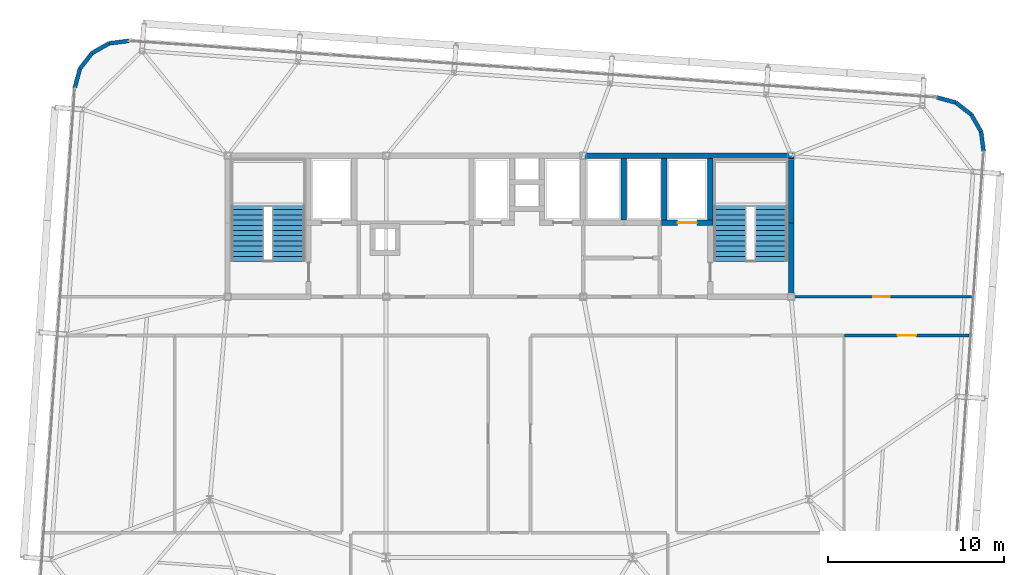
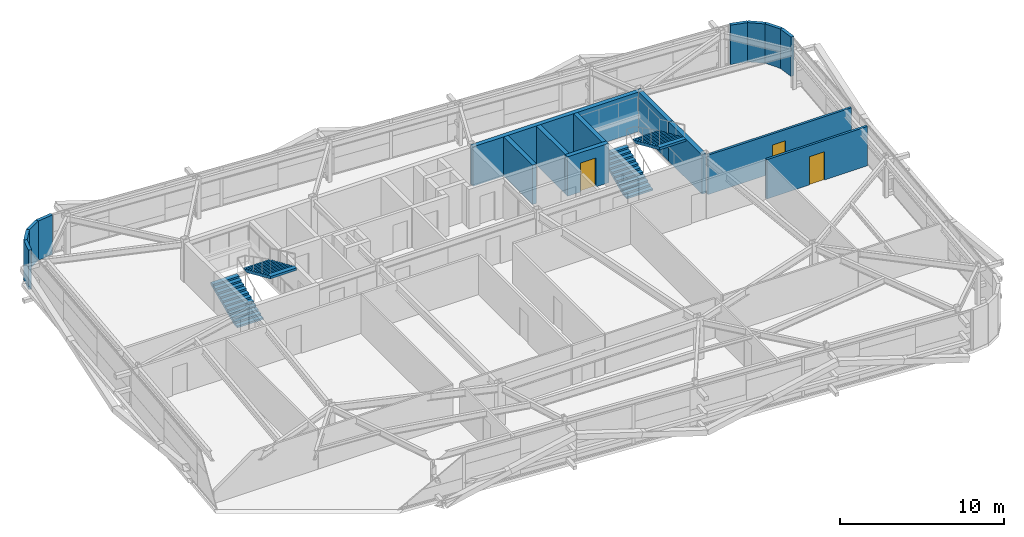
# One storey, part 37 of 39: 17 walls, 4 stair flights, 3 doors, 3 openings, 2 elements without a shape of their own.
"""IFC4 building model written with IfcOpenShell, lengths in metres."""

from ifc_helpers import new_model, si_unit, direction, frame, frame_2d, origin, place, context, subcontext, project, spatial, polyline, rectangle, outline, extrude, source, transform, mapped, material, layer, layer_set, type_object, element, fill, aggregate, save


model = new_model("IFC4")

# Units and contexts
model_context = context("Model", 3, precision=1e-05, world=origin(), true_north=direction((0.0, 1.0)))
body_context = subcontext(model_context, "Body", "Model", "MODEL_VIEW")
ifc_project = project(units=[si_unit("LENGTHUNIT", "METRE"), si_unit("AREAUNIT", "SQUARE_METRE"), si_unit("VOLUMEUNIT", "CUBIC_METRE"), si_unit("PLANEANGLEUNIT", "RADIAN"), si_unit("MASSUNIT", "GRAM", prefix="KILO")], contexts=[model_context])

# Site, building, storey
site_placement = place(None, origin())
site = spatial("IfcSite", under=ifc_project, at=site_placement, CompositionType="ELEMENT")
building_placement = place(site_placement, origin())
building = spatial("IfcBuilding", under=site, at=building_placement, Name="Taldren Reach Tower", CompositionType="ELEMENT")
storey_placement = place(building_placement, frame((0.0, 0.0, 129.85009765625)))
storey = spatial("IfcBuildingStorey", under=building, at=storey_placement, Name="L39", CompositionType="ELEMENT", Elevation=129.85009765625)

# Walls
ifc_material_1 = material(Name="Pale Champagne Anodised Aluminium Cladding", Category="aluminium")
ifc_layer_1 = layer(ifc_material_1, 0.04, Name="Pale Champagne Anodised Aluminium Cladding", Category="aluminium")
ifc_material_2 = material(Name="Mineral Wool Acoustic Insulation", Category="insulation")
ifc_layer_2 = layer(ifc_material_2, 0.06, Name="Mineral Wool Acoustic Insulation", Category="insulation")
ifc_material_3 = material(Name="Steel Gr 350 (C350L0)", Category="steel")
ifc_layer_3 = layer(ifc_material_3, 0.12, Name="Steel Gr 350 (C350L0)", Category="steel")
ifc_layer_set_1 = layer_set([ifc_layer_1, ifc_layer_2, ifc_layer_3], Name="Pale Champagne Aluminium Cladding and Steel Gr 350 Stud Framing")
wall_type_1 = type_object("IfcWallType", Name="EW-CRN-220", PredefinedType="SOLIDWALL", material=ifc_layer_set_1)
shared_shape_1 = source(origin(), body_context, "Body", "SweptSolid", [
    extrude(rectangle(XDim=1.115966796875, YDim=0.219970703125, at=frame_2d((0.55810546875, 0.0))), origin(), (0.0, 0.0, 1.0), 2.929931640625),
])
for number, where, z_axis, x_axis, name in (
    (1, (61.923583984375, 32.261962890625, 0.0), (0.0, 0.0, 1.0), (-0.126242535829, 0.991999406324, 0.0), "Rounded-corner pale-metal facade wall L39-NE1"),
    (2, (61.78271484375, 33.368896484375, 0.0), (0.0, 0.0, 1.0), (-0.496138938357, 0.868243142124, 0.0), "Rounded-corner pale-metal facade wall L39-NE2"),
    (3, (61.22900390625, 34.337890625, 0.0), (0.0, 0.0, 1.0), (-0.790716874741, 0.612182018684, 0.0), "Rounded-corner pale-metal facade wall L39-NE3"),
    (4, (60.3466796875, 35.02099609375, 0.0), (0.0, 0.0, 1.0), (-0.964804199372, 0.262969307856, 0.0), "Rounded-corner pale-metal facade wall L39-NE4"),
    (5, (13.382080078125, 38.5234375, 0.0), (0.0, 0.0, 1.0), (-0.991999406324, -0.126242535829, 0.0), "Rounded-corner pale-metal facade wall L39-NW1"),
    (6, (11.306396484375, 37.828857421875, 0.0), (0.0, 0.0, 1.0), (-0.612318787668, -0.790610967714, 0.0), "Rounded-corner pale-metal facade wall L39-NW3"),
    (7, (10.623046875, 36.946533203125, 0.0), (0.0, 0.0, 1.0), (-0.262969307856, -0.964804199372, 0.0), "Rounded-corner pale-metal facade wall L39-NW4"),
):
    element("IfcWall", number, at=place(storey_placement, frame(where, z_axis=z_axis, x_axis=x_axis)), inside=storey, type_object=wall_type_1, Name=name, PredefinedType="SOLIDWALL", context=body_context, shape_type="MappedRepresentation", body=[
        mapped(shared_shape_1, transform((0.0, 0.0, 0.0), scale=1.0)),
    ])
shared_shape_2 = source(origin(), body_context, "Body", "SweptSolid", [
    extrude(rectangle(XDim=1.11572265625, YDim=0.219970703125, at=frame_2d((0.557861328125, 0.0))), origin(), (0.0, 0.0, 1.0), 2.929931640625),
])
wall_1_placement = place(storey_placement, frame((12.275146484375, 38.382568359375, 0.0), z_axis=(0.0, 0.0, 1.0), x_axis=(-0.868189279113, -0.496233186751, 0.0)))
element("IfcWall", 8, at=wall_1_placement, inside=storey, type_object=wall_type_1, Name="Rounded-corner pale-metal facade wall L39-NW2", PredefinedType="SOLIDWALL", context=body_context, shape_type="MappedRepresentation", body=[
    mapped(shared_shape_2, transform((0.0, 0.0, 0.0), scale=1.0)),
])
ifc_material_4 = material(Name="Concrete S65 (65 MPa)", Category="concrete")
ifc_layer_4 = layer(ifc_material_4, 0.300048828125)
ifc_layer_set_2 = layer_set([ifc_layer_4], Name="Concrete S65 (65 MPa)")
wall_type_2 = type_object("IfcWallType", Name="IW-CORE-300", PredefinedType="SHEAR", material=ifc_layer_set_2)
shared_shape_3 = source(origin(), body_context, "Body", "SweptSolid", [
    extrude(rectangle(XDim=11.949951171875, YDim=0.300048828125, at=frame_2d((5.97509765625, 0.0))), origin(), (0.0, 0.0, 1.0), 2.929931640625),
])
wall_2_placement = place(storey_placement, frame((39.199951171875, 32.0, 0.0), z_axis=(0.0, 0.0, 1.0), x_axis=(1.0, 0.0, 0.0)))
element("IfcWall", 9, at=wall_2_placement, inside=storey, type_object=wall_type_2, Name="Rear Core Shear Wall W-CORE-L39-NORTH3", PredefinedType="SHEAR", context=body_context, shape_type="MappedRepresentation", body=[
    mapped(shared_shape_3, transform((0.0, 0.0, 0.0), scale=1.0)),
])
shared_shape_4 = source(origin(), body_context, "Body", "SweptSolid", [
    extrude(rectangle(XDim=4.050048828125, YDim=0.300048828125, at=frame_2d((2.02490234375, 0.0))), origin(), (0.0, 0.0, 1.0), 2.929931640625),
])
wall_3_placement = place(storey_placement, frame((51.0, 24.14990234375, 0.0), z_axis=(0.0, 0.0, 1.0), x_axis=(0.0, 1.0, 0.0)))
element("IfcWall", 10, at=wall_3_placement, inside=storey, type_object=wall_type_2, Name="Rear Core Shear Wall W-CORE-L39-EAST1", PredefinedType="SHEAR", context=body_context, shape_type="MappedRepresentation", body=[
    mapped(shared_shape_4, transform((0.0, 0.0, 0.0), scale=1.0)),
])
shared_shape_5 = source(origin(), body_context, "Body", "SweptSolid", [
    extrude(rectangle(XDim=3.650146484375, YDim=0.300048828125, at=frame_2d((1.8251953125, 0.0))), origin(), (0.0, 0.0, 1.0), 2.929931640625),
])
wall_4_placement = place(storey_placement, frame((51.0, 28.199951171875, 0.0), z_axis=(0.0, 0.0, 1.0), x_axis=(0.0, 1.0, 0.0)))
element("IfcWall", 11, at=wall_4_placement, inside=storey, type_object=wall_type_2, Name="Rear Core Shear Wall W-CORE-L39-EAST2", PredefinedType="SHEAR", context=body_context, shape_type="MappedRepresentation", body=[
    mapped(shared_shape_5, transform((0.0, 0.0, 0.0), scale=1.0)),
])
shared_shape_6 = source(origin(), body_context, "Body", "SweptSolid", [
    extrude(rectangle(XDim=3.5, YDim=0.300048828125, at=frame_2d((1.75, 0.0))), origin(), (0.0, 0.0, 1.0), 2.929931640625),
])
for number, where, z_axis, x_axis, name in (
    (12, (46.39990234375, 31.85009765625, 0.0), (0.0, 0.0, 1.0), (0.0, -1.0, 0.0), "Rear Core Shear Wall W-INT-L39-008"),
    (13, (43.800048828125, 31.85009765625, 0.0), (0.0, 0.0, 1.0), (0.0, -1.0, 0.0), "Rear Core Shear Wall W-INT-L39-012"),
    (14, (41.5, 28.35009765625, 0.0), (0.0, 0.0, 1.0), (0.0, 1.0, 0.0), "Rear Core Shear Wall W-INT-L39-036"),
):
    element("IfcWall", number, at=place(storey_placement, frame(where, z_axis=z_axis, x_axis=x_axis)), inside=storey, type_object=wall_type_2, Name=name, PredefinedType="SHEAR", context=body_context, shape_type="MappedRepresentation", body=[
        mapped(shared_shape_6, transform((0.0, 0.0, 0.0), scale=1.0)),
    ])

# Wall, opening, door
shared_shape_7 = source(origin(), body_context, "Body", "SweptSolid", [
    extrude(rectangle(XDim=2.900146484375, YDim=0.300048828125, at=frame_2d((1.4501953125, 0.0))), origin(), (0.0, 0.0, 1.0), 2.929931640625),
])
wall_5_placement = place(storey_placement, frame((43.64990234375, 28.199951171875, 0.0), z_axis=(0.0, 0.0, 1.0), x_axis=(1.0, 0.0, 0.0)))
wall_5 = element("IfcWall", 15, at=wall_5_placement, inside=storey, type_object=wall_type_2, Name="Rear Core Shear Wall W-INT-L39-011", PredefinedType="SHEAR", context=body_context, shape_type="MappedRepresentation", body=[
    mapped(shared_shape_7, transform((0.0, 0.0, 0.0), scale=1.0)),
])
shared_shape_8 = source(origin(), body_context, "Body", "SweptSolid", [
    extrude(rectangle(XDim=1.10009765625, YDim=2.14990234375, at=frame_2d((0.550048828125, 1.074951171875))), frame((0.0, 0.16015625, 0.0), z_axis=(0.0, -1.0, 0.0), x_axis=(1.0, 0.0, 0.0)), (0.0, 0.0, 1.0), 0.320068359375),
])
opening_1_placement = place(wall_5_placement, frame((0.89990234375, 0.0, 0.0)))
opening_1 = element("IfcOpeningElement", 16, at=opening_1_placement, cuts=wall_5, Name="Opening LD-FL2", PredefinedType="OPENING", context=body_context, shape_type="MappedRepresentation", body=[
    mapped(shared_shape_8, transform((0.0, 0.0, 0.0), scale=1.0)),
])
ifc_material_5 = material(Name="Stainless Steel Gr 316 Emergency Lift Landing Door", Category="steel")
door_type_1 = type_object("IfcDoorType", Name="LD-EMG-110", OperationType="SLIDING_TO_LEFT", PredefinedType="DOOR", material=ifc_material_5)
shared_shape_9 = source(origin(), body_context, "Body", "SweptSolid", [
    extrude(rectangle(XDim=1.10009765625, YDim=2.14990234375, at=frame_2d((0.550048828125, 1.074951171875))), frame((0.0, 0.02490234375, 0.0), z_axis=(0.0, -1.0, 0.0), x_axis=(1.0, 0.0, 0.0)), (0.0, 0.0, 1.0), 0.050048828125),
])
door_1_placement = place(opening_1_placement, origin())
door_1 = element("IfcDoor", 17, at=door_1_placement, inside=storey, type_object=door_type_1, Name="Lift Landing Door LD-FL2-L39", OperationType="SLIDING_TO_LEFT", OverallHeight=2.14990234375, OverallWidth=1.10009765625, PredefinedType="DOOR", context=body_context, shape_type="MappedRepresentation", body=[
    mapped(shared_shape_9, transform((0.0, 0.0, 0.0), scale=1.0)),
])
fill(opening_1, door_1)

ifc_material_6 = material(Name="Fire-Rated Acoustic Plasterboard Stud Wall", Category="gypsum")
ifc_layer_5 = layer(ifc_material_6, 0.159912109375)
ifc_layer_set_3 = layer_set([ifc_layer_5], Name="Fire-Rated Acoustic Plasterboard Stud Wall")
wall_type_3 = type_object("IfcWallType", Name="IW-FIRE-160", PredefinedType="PARTITIONING", material=ifc_layer_set_3)
shared_shape_10 = source(origin(), body_context, "Body", "SweptSolid", [
    extrude(rectangle(XDim=10.10009765625, YDim=0.159912109375, at=frame_2d((5.050048828125, 0.0))), origin(), (0.0, 0.0, 1.0), 2.929931640625),
])
wall_6_placement = place(storey_placement, frame((51.14990234375, 24.0, 0.0), z_axis=(0.0, 0.0, 1.0), x_axis=(1.0, 0.0, 0.0)))
wall_6 = element("IfcWall", 18, at=wall_6_placement, inside=storey, type_object=wall_type_3, Name="Interior Partition Wall W-INT-L39-049", PredefinedType="PARTITIONING", context=body_context, shape_type="MappedRepresentation", body=[
    mapped(shared_shape_10, transform((0.0, 0.0, 0.0), scale=1.0)),
])
shared_shape_11 = source(origin(), body_context, "Body", "SweptSolid", [
    extrude(rectangle(XDim=0.919921875, YDim=2.10009765625, at=frame_2d((0.4599609375, 1.050048828125))), frame((0.0, 0.08984375, 0.0), z_axis=(0.0, -1.0, 0.0), x_axis=(1.0, 0.0, 0.0)), (0.0, 0.0, 1.0), 0.179931640625),
])
opening_2_placement = place(wall_6_placement, frame((4.525146484375, 0.0, 0.0)))
opening_2 = element("IfcOpeningElement", 19, at=opening_2_placement, cuts=wall_6, Name="Opening DI-092", PredefinedType="OPENING", context=body_context, shape_type="MappedRepresentation", body=[
    mapped(shared_shape_11, transform((0.0, 0.0, 0.0), scale=1.0)),
])
ifc_material_7 = material(Name="Solid-Core Timber Suite Door", Category="wood")
door_type_2 = type_object("IfcDoorType", Name="ID-INT-092", OperationType="NOTDEFINED", PredefinedType="DOOR", material=ifc_material_7)
shared_shape_12 = source(origin(), body_context, "Body", "SweptSolid", [
    extrude(rectangle(XDim=0.919921875, YDim=2.10009765625, at=frame_2d((0.4599609375, 1.050048828125))), frame((0.0, 0.02490234375, 0.0), z_axis=(0.0, -1.0, 0.0), x_axis=(1.0, 0.0, 0.0)), (0.0, 0.0, 1.0), 0.050048828125),
])
door_2_placement = place(opening_2_placement, origin())
door_2 = element("IfcDoor", 20, at=door_2_placement, inside=storey, type_object=door_type_2, Name="Interior Door DR-L39-014", OperationType="SINGLE_SWING_LEFT", OverallHeight=2.10009765625, OverallWidth=0.919921875, PredefinedType="DOOR", context=body_context, shape_type="MappedRepresentation", body=[
    mapped(shared_shape_12, transform((0.0, 0.0, 0.0), scale=1.0)),
])
fill(opening_2, door_2)

shared_shape_13 = source(origin(), body_context, "Body", "SweptSolid", [
    extrude(rectangle(XDim=7.087158203125, YDim=0.159912109375, at=frame_2d((3.54345703125, 0.0))), origin(), (0.0, 0.0, 1.0), 2.929931640625),
])
wall_7_placement = place(storey_placement, frame((61.107421875, 21.800048828125, 0.0), z_axis=(0.0, 0.0, 1.0), x_axis=(-1.0, 0.0, 0.0)))
wall_7 = element("IfcWall", 21, at=wall_7_placement, inside=storey, type_object=wall_type_3, Name="Interior Partition Wall W-INT-L39-048", PredefinedType="PARTITIONING", context=body_context, shape_type="MappedRepresentation", body=[
    mapped(shared_shape_13, transform((0.0, 0.0, 0.0), scale=1.0)),
])
shared_shape_14 = source(origin(), body_context, "Body", "SweptSolid", [
    extrude(rectangle(XDim=1.050048828125, YDim=2.10009765625, at=frame_2d((0.52490234375, 1.050048828125))), frame((0.0, 0.08984375, 0.0), z_axis=(0.0, -1.0, 0.0), x_axis=(1.0, 0.0, 0.0)), (0.0, 0.0, 1.0), 0.179931640625),
])
opening_3_placement = place(wall_7_placement, frame((3.0185546875, 0.0, 0.0)))
opening_3 = element("IfcOpeningElement", 22, at=opening_3_placement, cuts=wall_7, Name="Opening DF-105", PredefinedType="OPENING", context=body_context, shape_type="MappedRepresentation", body=[
    mapped(shared_shape_14, transform((0.0, 0.0, 0.0), scale=1.0)),
])
ifc_material_8 = material(Name="Fire-Rated Care and Stair Exit Door")
door_type_3 = type_object("IfcDoorType", Name="ID-FIRE-105", OperationType="NOTDEFINED", PredefinedType="DOOR", material=ifc_material_8)
shared_shape_15 = source(origin(), body_context, "Body", "SweptSolid", [
    extrude(rectangle(XDim=1.050048828125, YDim=2.10009765625, at=frame_2d((0.52490234375, 1.050048828125))), frame((0.0, 0.02490234375, 0.0), z_axis=(0.0, -1.0, 0.0), x_axis=(1.0, 0.0, 0.0)), (0.0, 0.0, 1.0), 0.050048828125),
])
door_3_placement = place(opening_3_placement, origin())
door_3 = element("IfcDoor", 23, at=door_3_placement, inside=storey, type_object=door_type_3, Name="Interior Door DR-L39-013", OperationType="SINGLE_SWING_RIGHT", OverallHeight=2.10009765625, OverallWidth=1.050048828125, PredefinedType="DOOR", context=body_context, shape_type="MappedRepresentation", body=[
    mapped(shared_shape_15, transform((0.0, 0.0, 0.0), scale=1.0)),
])
fill(opening_3, door_3)

# Stair, stair flights
ifc_material_9 = material(Name="Concrete S50 (50 MPa)", Category="concrete")
stair_type = type_object("IfcStairType", Name="ST-HT-315", PredefinedType="HALF_TURN_STAIR", material=ifc_material_9)
stair_1_placement = place(storey_placement, origin())
stair_1 = element("IfcStair", 24, at=stair_1_placement, inside=storey, type_object=stair_type, Name="Fire-isolated exit stair ST1 L39", PredefinedType="HALF_TURN_STAIR")
stair_flight_type = type_object("IfcStairFlightType", Name="SF-STR-315", PredefinedType="STRAIGHT", material=ifc_material_9)
stair_flight_1_placement = place(storey_placement, frame((20.139892578125, 25.989990234375, 0.0), z_axis=(0.0, 0.0, 1.0), x_axis=(0.0, 1.0, 0.0)))
stair_flight_1 = element("IfcStairFlight", 25, at=stair_flight_1_placement, type_object=stair_flight_type, Name="ST1 flight 1", NumberOfRisers=12, NumberOfTreads=11, PredefinedType="STRAIGHT", RiserHeight=0.13125, TreadLength=0.295, context=body_context, shape_type="SweptSolid", body=[
    extrude(outline(polyline([(0.0, 0.0), (0.0, 0.13134765625), (0.294921875, 0.13134765625), (0.294921875, 0.262451171875), (0.590087890625, 0.262451171875), (0.590087890625, 0.393798828125), (0.885009765625, 0.393798828125), (0.885009765625, 0.52490234375), (1.179931640625, 0.52490234375), (1.179931640625, 0.65625), (1.47509765625, 0.65625), (1.47509765625, 0.78759765625), (1.77001953125, 0.78759765625), (1.77001953125, 0.918701171875), (2.06494140625, 0.918701171875), (2.06494140625, 1.050048828125), (2.360107421875, 1.050048828125), (2.360107421875, 1.18115234375), (2.655029296875, 1.18115234375), (2.655029296875, 1.3125), (2.949951171875, 1.3125), (2.949951171875, 1.44384765625), (3.2451171875, 1.44384765625), (3.2451171875, 1.574951171875), (3.2451171875, 1.268798828125), (0.393310546875, 0.0), (0.0, 0.0)])), frame((0.0, 0.919921875, 0.0), z_axis=(0.0, -1.0, 0.0), x_axis=(1.0, 0.0, 0.0)), (0.0, 0.0, 1.0), 1.840087890625),
])
stair_flight_2_placement = place(storey_placement, frame((22.4599609375, 29.235107421875, 1.574951171875), z_axis=(0.0, 0.0, 1.0), x_axis=(0.0, -1.0, 0.0)))
stair_flight_2 = element("IfcStairFlight", 26, at=stair_flight_2_placement, type_object=stair_flight_type, Name="ST1 flight 2", NumberOfRisers=12, NumberOfTreads=11, PredefinedType="STRAIGHT", RiserHeight=0.13125, TreadLength=0.295, context=body_context, shape_type="SweptSolid", body=[
    extrude(outline(polyline([(0.0, 0.0), (0.0, 0.13134765625), (0.294921875, 0.13134765625), (0.294921875, 0.262451171875), (0.590087890625, 0.262451171875), (0.590087890625, 0.393798828125), (0.885009765625, 0.393798828125), (0.885009765625, 0.52490234375), (1.179931640625, 0.52490234375), (1.179931640625, 0.65625), (1.47509765625, 0.65625), (1.47509765625, 0.78759765625), (1.77001953125, 0.78759765625), (1.77001953125, 0.918701171875), (2.06494140625, 0.918701171875), (2.06494140625, 1.050048828125), (2.360107421875, 1.050048828125), (2.360107421875, 1.18115234375), (2.655029296875, 1.18115234375), (2.655029296875, 1.3125), (2.949951171875, 1.3125), (2.949951171875, 1.44384765625), (3.2451171875, 1.44384765625), (3.2451171875, 1.574951171875), (3.2451171875, 1.268798828125), (0.393310546875, 0.0), (0.0, 0.0)])), frame((0.0, 0.919921875, 0.0), z_axis=(0.0, -1.0, 0.0), x_axis=(1.0, 0.0, 0.0)), (0.0, 0.0, 1.0), 1.840087890625),
])
aggregate(stair_1, [stair_flight_1, stair_flight_2])

stair_2_placement = place(storey_placement, origin())
stair_2 = element("IfcStair", 27, at=stair_2_placement, inside=storey, type_object=stair_type, Name="Fire-isolated exit stair ST2 L39", PredefinedType="HALF_TURN_STAIR")
stair_flight_3_placement = place(storey_placement, frame((47.5400390625, 25.989990234375, 0.0), z_axis=(0.0, 0.0, 1.0), x_axis=(0.0, 1.0, 0.0)))
stair_flight_3 = element("IfcStairFlight", 28, at=stair_flight_3_placement, type_object=stair_flight_type, Name="ST2 flight 1", NumberOfRisers=12, NumberOfTreads=11, PredefinedType="STRAIGHT", RiserHeight=0.13125, TreadLength=0.295, context=body_context, shape_type="SweptSolid", body=[
    extrude(outline(polyline([(0.0, 0.0), (0.0, 0.13134765625), (0.294921875, 0.13134765625), (0.294921875, 0.262451171875), (0.590087890625, 0.262451171875), (0.590087890625, 0.393798828125), (0.885009765625, 0.393798828125), (0.885009765625, 0.52490234375), (1.179931640625, 0.52490234375), (1.179931640625, 0.65625), (1.47509765625, 0.65625), (1.47509765625, 0.78759765625), (1.77001953125, 0.78759765625), (1.77001953125, 0.918701171875), (2.06494140625, 0.918701171875), (2.06494140625, 1.050048828125), (2.360107421875, 1.050048828125), (2.360107421875, 1.18115234375), (2.655029296875, 1.18115234375), (2.655029296875, 1.3125), (2.949951171875, 1.3125), (2.949951171875, 1.44384765625), (3.2451171875, 1.44384765625), (3.2451171875, 1.574951171875), (3.2451171875, 1.268798828125), (0.393310546875, 0.0), (0.0, 0.0)])), frame((0.0, 0.919921875, 0.0), z_axis=(0.0, -1.0, 0.0), x_axis=(1.0, 0.0, 0.0)), (0.0, 0.0, 1.0), 1.840087890625),
])
stair_flight_4_placement = place(storey_placement, frame((49.860107421875, 29.235107421875, 1.574951171875), z_axis=(0.0, 0.0, 1.0), x_axis=(0.0, -1.0, 0.0)))
stair_flight_4 = element("IfcStairFlight", 29, at=stair_flight_4_placement, type_object=stair_flight_type, Name="ST2 flight 2", NumberOfRisers=12, NumberOfTreads=11, PredefinedType="STRAIGHT", RiserHeight=0.13125, TreadLength=0.295, context=body_context, shape_type="SweptSolid", body=[
    extrude(outline(polyline([(0.0, 0.0), (0.0, 0.13134765625), (0.294921875, 0.13134765625), (0.294921875, 0.262451171875), (0.590087890625, 0.262451171875), (0.590087890625, 0.393798828125), (0.885009765625, 0.393798828125), (0.885009765625, 0.52490234375), (1.179931640625, 0.52490234375), (1.179931640625, 0.65625), (1.47509765625, 0.65625), (1.47509765625, 0.78759765625), (1.77001953125, 0.78759765625), (1.77001953125, 0.918701171875), (2.06494140625, 0.918701171875), (2.06494140625, 1.050048828125), (2.360107421875, 1.050048828125), (2.360107421875, 1.18115234375), (2.655029296875, 1.18115234375), (2.655029296875, 1.3125), (2.949951171875, 1.3125), (2.949951171875, 1.44384765625), (3.2451171875, 1.44384765625), (3.2451171875, 1.574951171875), (3.2451171875, 1.268798828125), (0.393310546875, 0.0), (0.0, 0.0)])), frame((0.0, 0.919921875, 0.0), z_axis=(0.0, -1.0, 0.0), x_axis=(1.0, 0.0, 0.0)), (0.0, 0.0, 1.0), 1.840087890625),
])
aggregate(stair_2, [stair_flight_3, stair_flight_4])

save(model, "model.ifc")
